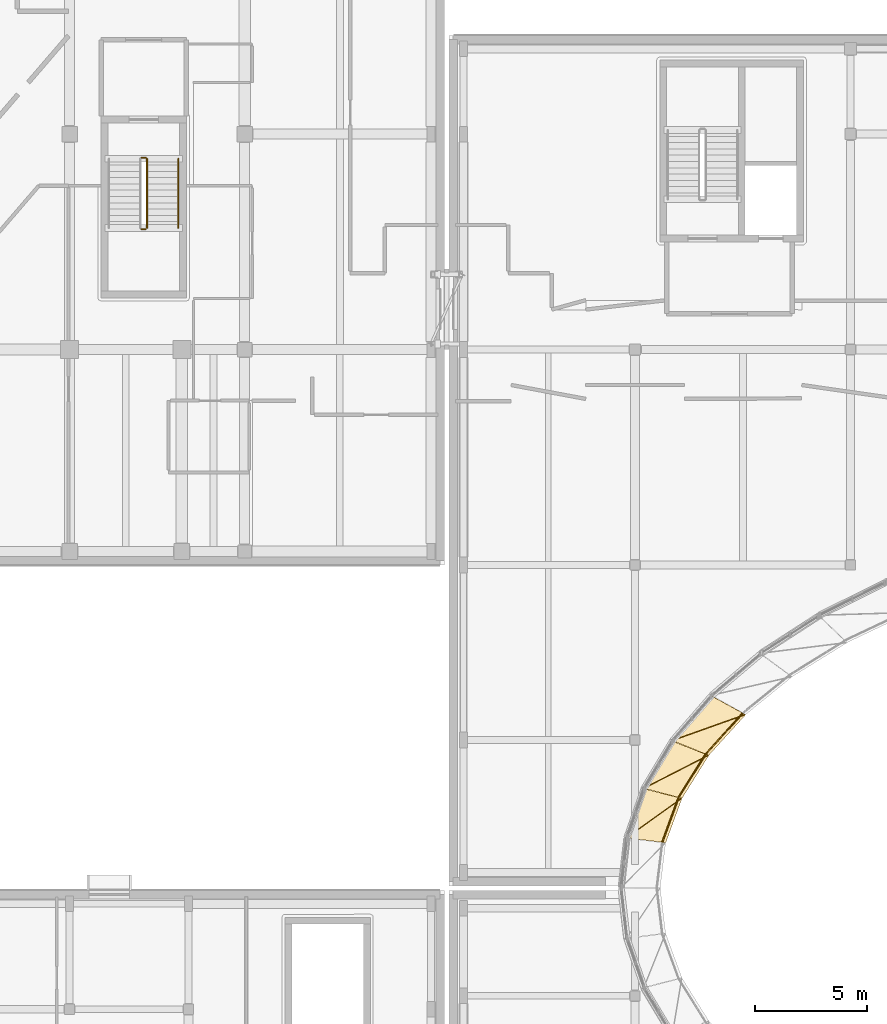
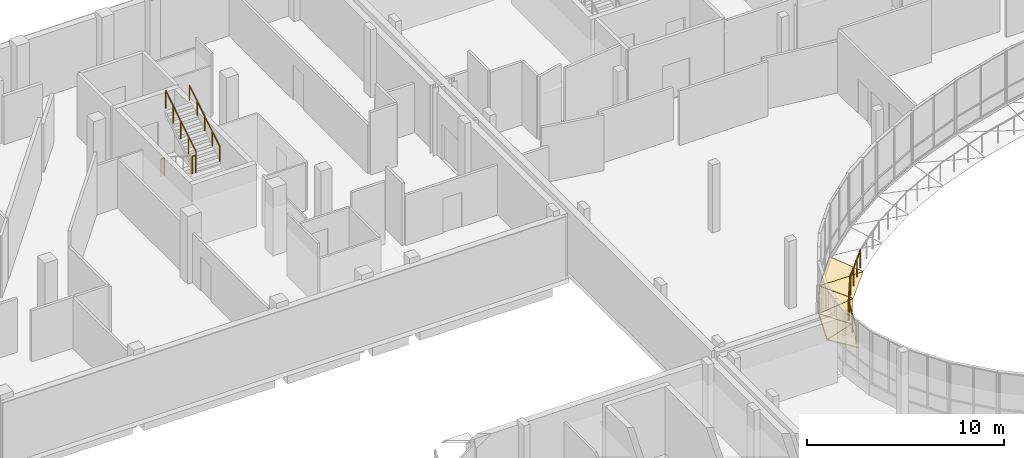
# One storey, part 64 of 73: 7 railings, 6 coverings.
"""IFC4 building model written with IfcOpenShell, lengths in metres."""

from ifc_helpers import new_model, si_unit, direction, frame, origin, origin_2d, place, context, subcontext, project, spatial, polyline, circle, outline, extrude, material, layer, layer_set, type_object, element, save


model = new_model("IFC4")

# Units and contexts
model_context = context("Model", 3, precision=1e-05, world=origin(), true_north=direction((0.0, 1.0)))
body_context = subcontext(model_context, "Body", "Model", "MODEL_VIEW")
ifc_project = project(units=[si_unit("LENGTHUNIT", "METRE"), si_unit("AREAUNIT", "SQUARE_METRE"), si_unit("VOLUMEUNIT", "CUBIC_METRE"), si_unit("PLANEANGLEUNIT", "RADIAN"), si_unit("MASSUNIT", "GRAM", prefix="KILO")], contexts=[model_context])

# Site, building, storey
site_placement = place(None, origin())
site = spatial("IfcSite", under=ifc_project, at=site_placement, CompositionType="ELEMENT")
building_placement = place(site_placement, origin())
building = spatial("IfcBuilding", under=site, at=building_placement, Name="Mzevani Central Library", CompositionType="ELEMENT")
storey_placement = place(building_placement, frame((0.0, 0.0, 9.60009765625)))
storey = spatial("IfcBuildingStorey", under=building, at=storey_placement, Name="L02", CompositionType="ELEMENT", Elevation=9.60009765625)

# Railings
ifc_material_1 = material(Name="Brushed stainless steel rail", Category="steel")
railing_type_1 = type_object("IfcRailingType", Name="Interior Gallery and Stair Guard 1100", PredefinedType="BALUSTRADE", material=ifc_material_1)
railing_1_placement = place(storey_placement, frame((32.39990234375, 105.3701171875, 2.099853515625)))
element("IfcRailing", 1, at=railing_1_placement, inside=storey, type_object=railing_type_1, Name="L02 ST-04 stair guard 2", PredefinedType="BALUSTRADE", context=body_context, shape_type="SweptSolid", body=[
    extrude(circle(Radius=0.02392578125, at=origin_2d()), frame((0.0, 0.0, 1.076171875), z_axis=(1.0, 0.0, 0.0), x_axis=(0.0, 1.0, 0.0)), (0.0, 0.0, 1.0), 0.2001953125),
    extrude(circle(Radius=0.02099609375, at=origin_2d()), origin(), (0.0, 0.0, 1.0), 1.052001953125),
    extrude(circle(Radius=0.02099609375, at=origin_2d()), frame((0.2001953125, 0.0, 0.0)), (0.0, 0.0, 1.0), 1.052001953125),
])
railing_2_placement = place(storey_placement, frame((32.64990234375, 105.419921875, 2.27490234375)))
element("IfcRailing", 2, at=railing_2_placement, inside=storey, type_object=railing_type_1, Name="L02 ST-04 stair guard 3", PredefinedType="BALUSTRADE", context=body_context, shape_type="SweptSolid", body=[
    extrude(circle(Radius=0.02392578125, at=origin_2d()), frame((0.0, 0.0, 1.076171875), z_axis=(0.0, 0.847998304005, 0.529998940003), x_axis=(-1.0, 0.0, 0.0)), (0.0, 0.0, 1.0), 3.632080078125),
    extrude(circle(Radius=0.02099609375, at=origin_2d()), origin(), (0.0, 0.0, 1.0), 1.052001953125),
    extrude(circle(Radius=0.02099609375, at=origin_2d()), frame((0.0, 0.77001953125, 0.481201171875)), (0.0, 0.0, 1.0), 1.052001953125),
    extrude(circle(Radius=0.02099609375, at=origin_2d()), frame((0.0, 1.5400390625, 0.96240234375)), (0.0, 0.0, 1.0), 1.052001953125),
    extrude(circle(Radius=0.02099609375, at=origin_2d()), frame((0.0, 2.31005859375, 1.44384765625)), (0.0, 0.0, 1.0), 1.052001953125),
    extrude(circle(Radius=0.02099609375, at=origin_2d()), frame((0.0, 3.080078125, 1.925048828125)), (0.0, 0.0, 1.0), 1.052001953125),
])
railing_3_placement = place(storey_placement, frame((32.39990234375, 108.550048828125, 0.0)))
element("IfcRailing", 3, at=railing_3_placement, inside=storey, type_object=railing_type_1, Name="L02 ST-04 stair guard 4", PredefinedType="BALUSTRADE", context=body_context, shape_type="SweptSolid", body=[
    extrude(circle(Radius=0.02392578125, at=origin_2d()), frame((0.0, 0.0, 1.076171875), z_axis=(1.0, 0.0, 0.0), x_axis=(0.0, 1.0, 0.0)), (0.0, 0.0, 1.0), 0.2001953125),
    extrude(circle(Radius=0.02099609375, at=origin_2d()), origin(), (0.0, 0.0, 1.0), 1.052001953125),
    extrude(circle(Radius=0.02099609375, at=origin_2d()), frame((0.2001953125, 0.0, 0.0)), (0.0, 0.0, 1.0), 1.052001953125),
])

# Coverings
ifc_material_2 = material(Name="Limestone ashlar cladding", Category="masonry")
ifc_layer = layer(ifc_material_2, 0.050048828125, Name="Limestone Ashlar Spandrel Cladding")
ifc_layer_set = layer_set([ifc_layer], Name="Limestone ashlar cladding")
covering_type = type_object("IfcCoveringType", Name="Limestone Ashlar Spandrel Cladding", PredefinedType="CLADDING", material=ifc_layer_set)
covering_1_placement = place(storey_placement, frame((59.32763671875, 83.726806640625, -0.280029296875), z_axis=(0.375526113915, -0.341249088124, 0.861701338993), x_axis=(-0.67252356476, -0.740075708858, 0.0)))
element("IfcCovering", 4, at=covering_1_placement, inside=storey, type_object=covering_type, Name="L02 Curved Court Spandrel Apron 21A", PredefinedType="CLADDING", context=body_context, shape_type="SweptSolid", body=[
    extrude(outline(polyline([(0.0, 0.0), (2.44313581314485, 0.0), (3.0483768182166786, -1.8918624962991712), (0.0, 0.0)])), origin(), (0.0, 0.0, -1.0), 0.06005859375),
])
covering_2_placement = place(storey_placement, frame((59.32763671875, 83.726806640625, -0.280029296875), z_axis=(0.37162785601, -0.323168492768, 0.87031882774), x_axis=(-0.907704758208, -0.323232446322, 0.267568416618)))
element("IfcCovering", 5, at=covering_2_placement, inside=storey, type_object=covering_type, Name="L02 Curved Court Spandrel Apron 21B", PredefinedType="CLADDING", context=body_context, shape_type="SweptSolid", body=[
    extrude(outline(polyline([(0.0, 0.0), (3.5877214120865313, 0.0), (1.367189582306149, -1.4369921714750196), (0.0, 0.0)])), origin(), (0.0, 0.0, -1.0), 0.06005859375),
])
covering_3_placement = place(storey_placement, frame((57.68310546875, 81.91259765625, -0.280029296875), z_axis=(0.424403574103, -0.265442184263, 0.86569166168), x_axis=(-0.530271784497, -0.847827715144, 0.0)))
element("IfcCovering", 6, at=covering_3_placement, inside=storey, type_object=covering_type, Name="L02 Curved Court Spandrel Apron 22A", PredefinedType="CLADDING", context=body_context, shape_type="SweptSolid", body=[
    extrude(outline(polyline([(0.0, 0.0), (2.2518486402346767, -2.220446049250313e-16), (2.7715644525760066, -1.9177064896022358), (0.0, 0.0)])), origin(), (0.0, 0.0, -1.0), 0.06005859375),
])
covering_4_placement = place(storey_placement, frame((57.68310546875, 81.91259765625, -0.280029296875), z_axis=(0.419291796446, -0.251011552802, 0.872460652289), x_axis=(-0.853682509107, -0.436004668843, 0.28482644258)))
element("IfcCovering", 7, at=covering_4_placement, inside=storey, type_object=covering_type, Name="L02 Curved Court Spandrel Apron 22B", PredefinedType="CLADDING", context=body_context, shape_type="SweptSolid", body=[
    extrude(outline(polyline([(0.0, 0.0), (3.3703364364771473, 0.0), (1.3746982965026384, -1.4314135002236956), (0.0, 0.0)])), origin(), (0.0, 0.0, -1.0), 0.06005859375),
])
covering_5_placement = place(storey_placement, frame((56.48828125, 79.99755859375, -0.280029296875), z_axis=(0.462236679282, -0.169450635978, 0.870415839868), x_axis=(-0.344189928554, -0.938900044244, 0.0)))
element("IfcCovering", 8, at=covering_5_placement, inside=storey, type_object=covering_type, Name="L02 Curved Court Spandrel Apron 23A", PredefinedType="CLADDING", context=body_context, shape_type="SweptSolid", body=[
    extrude(outline(polyline([(0.0, 0.0), (2.105969569387598, 0.0), (2.489700788735665, -1.9498828351113338), (0.0, 0.0)])), origin(), (0.0, 0.0, -1.0), 0.06005859375),
])
covering_6_placement = place(storey_placement, frame((56.48828125, 79.99755859375, -0.280029296875), z_axis=(0.457461439581, -0.160469695137, 0.874630498118), x_axis=(-0.774871691461, -0.554461341842, 0.303556390438)))
element("IfcCovering", 9, at=covering_6_placement, inside=storey, type_object=covering_type, Name="L02 Curved Court Spandrel Apron 23B", PredefinedType="CLADDING", context=body_context, shape_type="SweptSolid", body=[
    extrude(outline(polyline([(0.0, 0.0), (3.16238092077675, 2.7755575615628914e-16), (1.3589429274931655, -1.4483130988072601), (0.0, 0.0)])), origin(), (0.0, 0.0, -1.0), 0.06005859375),
])

# Railings
railing_type_2 = type_object("IfcRailingType", Name="Stair Wall Handrail 920", PredefinedType="HANDRAIL", material=ifc_material_1)
railing_4_placement = place(storey_placement, frame((34.050048828125, 105.419921875, 2.27490234375)))
element("IfcRailing", 10, at=railing_4_placement, inside=storey, type_object=railing_type_2, Name="L02 ST-04 stair handrail 2", PredefinedType="HANDRAIL", context=body_context, shape_type="SweptSolid", body=[
    extrude(circle(Radius=0.02392578125, at=origin_2d()), frame((0.0, 0.0, 0.89599609375), z_axis=(0.0, 0.847998304005, 0.529998940003), x_axis=(-1.0, 0.0, 0.0)), (0.0, 0.0, 1.0), 3.632080078125),
    extrude(circle(Radius=0.02099609375, at=origin_2d()), origin(), (0.0, 0.0, 1.0), 0.871826171875),
    extrude(circle(Radius=0.02099609375, at=origin_2d()), frame((0.0, 0.77001953125, 0.481201171875)), (0.0, 0.0, 1.0), 0.871826171875),
    extrude(circle(Radius=0.02099609375, at=origin_2d()), frame((0.0, 1.5400390625, 0.96240234375)), (0.0, 0.0, 1.0), 0.871826171875),
    extrude(circle(Radius=0.02099609375, at=origin_2d()), frame((0.0, 2.31005859375, 1.44384765625)), (0.0, 0.0, 1.0), 0.871826171875),
    extrude(circle(Radius=0.02099609375, at=origin_2d()), frame((0.0, 3.080078125, 1.925048828125)), (0.0, 0.0, 1.0), 0.871826171875),
])
ifc_material_3 = material(Name="Anodized architectural bronze")
railing_type_3 = type_object("IfcRailingType", Name="Terrace and Court Balustrade 1100", PredefinedType="BALUSTRADE", material=ifc_material_3)
railing_5_placement = place(storey_placement, frame((59.173095703125, 83.768310546875, 0.0)))
element("IfcRailing", 11, at=railing_5_placement, inside=storey, type_object=railing_type_3, Name="L02 Elliptical Court Terrace Guard 21", PredefinedType="BALUSTRADE", context=body_context, shape_type="SweptSolid", body=[
    extrude(circle(Radius=0.02392578125, at=origin_2d()), frame((0.0, 0.0, 1.076171875), z_axis=(-0.67252356476, -0.740075708858, 0.0), x_axis=(0.740075708858, -0.67252356476, 0.0)), (0.0, 0.0, 1.0), 2.443115234375),
    extrude(circle(Radius=0.02099609375, at=origin_2d()), origin(), (0.0, 0.0, 1.0), 1.052001953125),
    extrude(circle(Radius=0.02099609375, at=origin_2d()), frame((-0.547607421875, -0.602783203125, 0.0)), (0.0, 0.0, 1.0), 1.052001953125),
    extrude(circle(Radius=0.02099609375, at=origin_2d()), frame((-1.095458984375, -1.205322265625, 0.0)), (0.0, 0.0, 1.0), 1.052001953125),
    extrude(circle(Radius=0.02099609375, at=origin_2d()), frame((-1.64306640625, -1.80810546875, 0.0)), (0.0, 0.0, 1.0), 1.052001953125),
])
railing_6_placement = place(storey_placement, frame((57.52587890625, 81.94140625, 0.0)))
element("IfcRailing", 12, at=railing_6_placement, inside=storey, type_object=railing_type_3, Name="L02 Elliptical Court Terrace Guard 22", PredefinedType="BALUSTRADE", context=body_context, shape_type="SweptSolid", body=[
    extrude(circle(Radius=0.02392578125, at=origin_2d()), frame((0.0, 0.0, 1.076171875), z_axis=(-0.53032053051, -0.847797225119, 0.0), x_axis=(0.847797225119, -0.53032053051, 0.0)), (0.0, 0.0, 1.0), 2.251708984375),
    extrude(circle(Radius=0.02099609375, at=origin_2d()), origin(), (0.0, 0.0, 1.0), 1.052001953125),
    extrude(circle(Radius=0.02099609375, at=origin_2d()), frame((-0.59716796875, -0.95458984375, 0.0)), (0.0, 0.0, 1.0), 1.052001953125),
    extrude(circle(Radius=0.02099609375, at=origin_2d()), frame((-1.194091796875, -1.908935546875, 0.0)), (0.0, 0.0, 1.0), 1.052001953125),
])
railing_7_placement = place(storey_placement, frame((56.3291015625, 80.014892578125, 0.0)))
element("IfcRailing", 13, at=railing_7_placement, inside=storey, type_object=railing_type_3, Name="L02 Elliptical Court Terrace Guard 23", PredefinedType="BALUSTRADE", context=body_context, shape_type="SweptSolid", body=[
    extrude(circle(Radius=0.02392578125, at=origin_2d()), frame((0.0, 0.0, 1.076171875), z_axis=(-0.344087728137, -0.938937503429, 0.0), x_axis=(0.938937503429, -0.344087728137, 0.0)), (0.0, 0.0, 1.0), 2.10595703125),
    extrude(circle(Radius=0.02099609375, at=origin_2d()), origin(), (0.0, 0.0, 1.0), 1.052001953125),
    extrude(circle(Radius=0.02099609375, at=origin_2d()), frame((-0.3623046875, -0.98876953125, 0.0)), (0.0, 0.0, 1.0), 1.052001953125),
    extrude(circle(Radius=0.02099609375, at=origin_2d()), frame((-0.724609375, -1.977294921875, 0.0)), (0.0, 0.0, 1.0), 1.052001953125),
])

save(model, "model.ifc")
